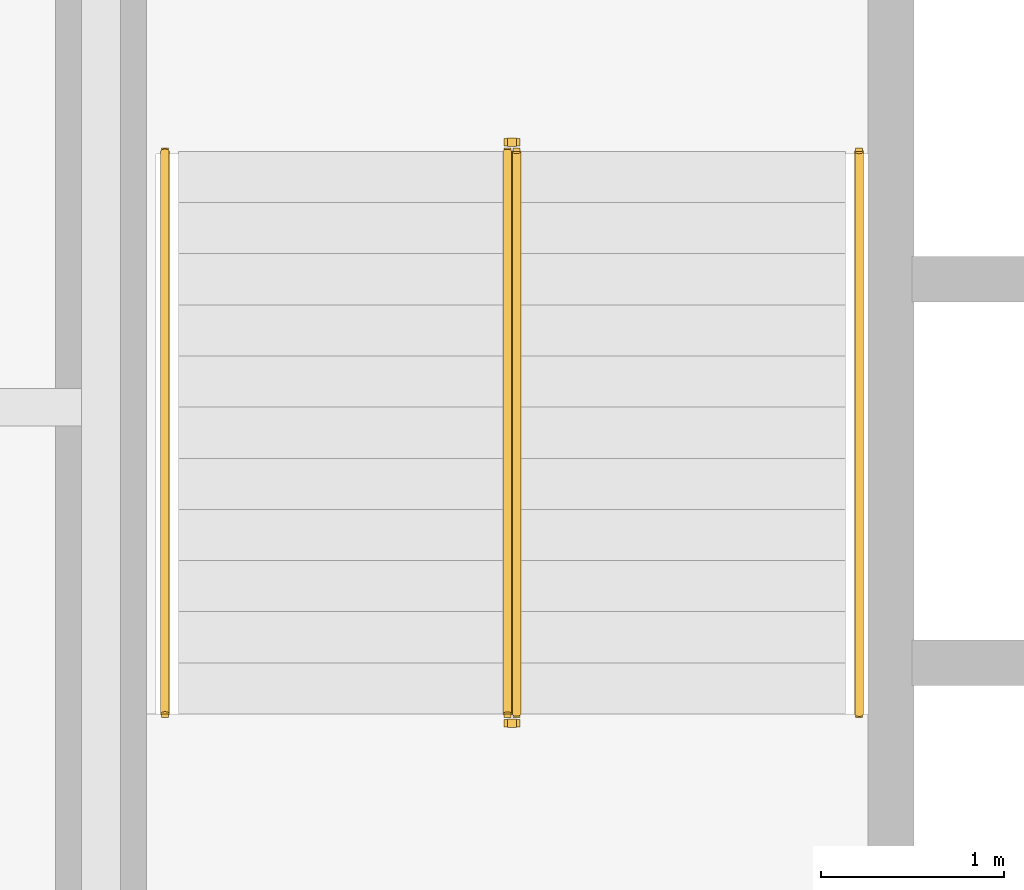
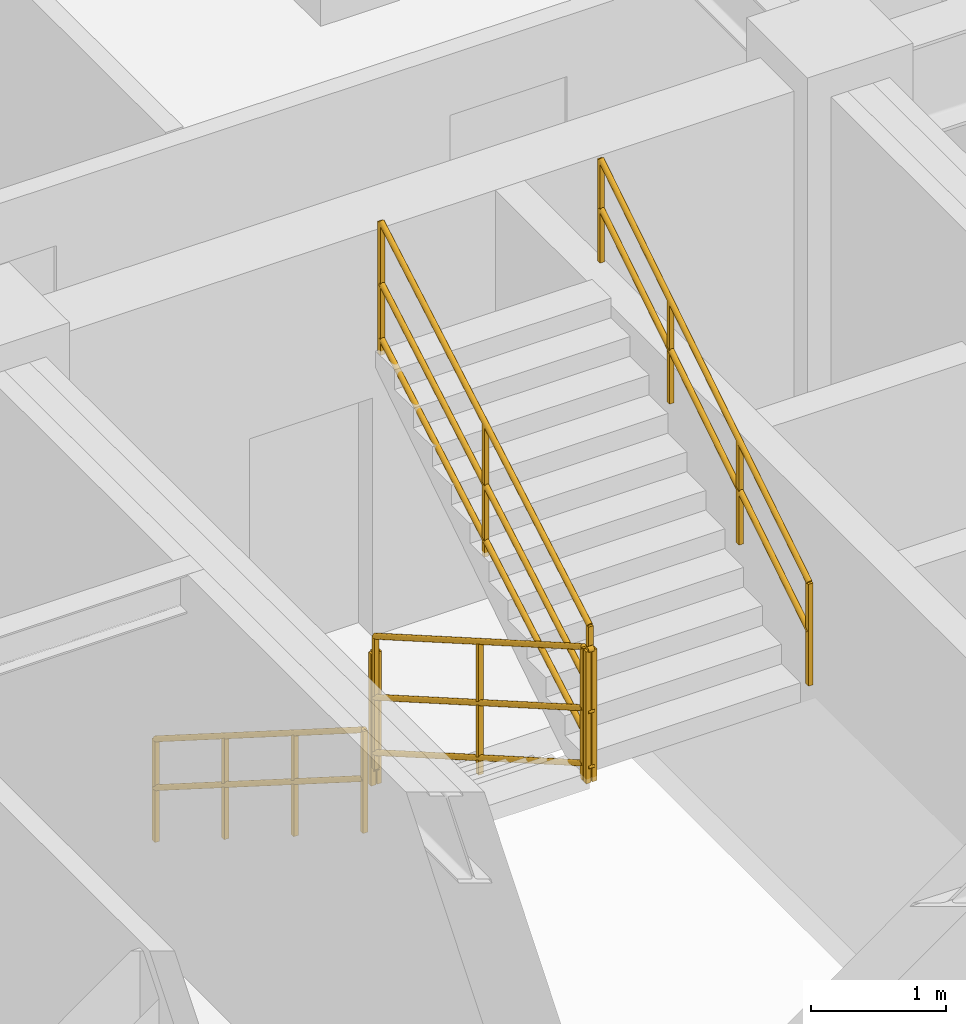
# One storey, part 11 of 11: 6 railings.
"""IFC4 building model written with IfcOpenShell, lengths in metres."""

from ifc_helpers import new_model, entity, si_unit, converted_unit, direction, frame, origin_with_axes, origin_2d_with_axis, place, context, subcontext, project, spatial, rectangle, circle, extrude, material, type_object, element, save


model = new_model("IFC4")

# Units and contexts
model_context = context("Model", 3, precision=1e-05, world=origin_with_axes(), true_north=direction((0.0, 1.0)))
body_context = subcontext(model_context, "Body", "Model", "MODEL_VIEW")
ifc_project = project(units=[si_unit("LENGTHUNIT", "METRE"), si_unit("AREAUNIT", "SQUARE_METRE"), si_unit("VOLUMEUNIT", "CUBIC_METRE"), converted_unit("PLANEANGLEUNIT", "DEGREE", entity("IfcPlaneAngleMeasure", 0.017453292519943295), si_unit("PLANEANGLEUNIT", "RADIAN"), dimensions=[0, 0, 0, 0, 0, 0, 0]), si_unit("MASSUNIT", "GRAM", prefix="KILO"), si_unit("THERMODYNAMICTEMPERATUREUNIT", "KELVIN")], contexts=[model_context])

# Site, building, storey
site_placement = place(None, origin_with_axes())
site = spatial("IfcSite", under=ifc_project, at=site_placement, CompositionType="ELEMENT")
building_placement = place(site_placement, origin_with_axes())
building = spatial("IfcBuilding", under=site, at=building_placement, Name="Varnlund Millrace Tower", CompositionType="ELEMENT")
storey_placement = place(building_placement, frame((0.0, 0.0, 204.3), z_axis=(0.0, 0.0, 1.0), x_axis=(1.0, 0.0, 0.0)))
storey = spatial("IfcBuildingStorey", under=building, at=storey_placement, Name="L50", CompositionType="ELEMENT", Elevation=204.3)

# Railings
ifc_material_1 = material(Name="Painted steel stair well balustrade guard", Category="steel")
railing_type_1 = type_object("IfcRailingType", Name="Type-StairGuard-1150", PredefinedType="GUARDRAIL", material=ifc_material_1)
railing_1_placement = place(storey_placement, frame((0.0, 0.0, -204.3), z_axis=(0.0, 0.0, 1.0), x_axis=(1.0, 0.0, 0.0)))
element("IfcRailing", 1, at=railing_1_placement, inside=storey, type_object=railing_type_1, Name="Type-StairGuard-1150", PredefinedType="GUARDRAIL", context=body_context, shape_type="SweptSolid", body=[
    extrude(circle(Radius=0.024, at=origin_2d_with_axis()), frame((13.625, 35.9, 205.627273), z_axis=(0.0, -0.866696, 0.498836), x_axis=(1.0, 0.0, 0.0)), (0.0, 0.0, 1.0), 3.553725),
    extrude(circle(Radius=0.024, at=origin_2d_with_axis()), frame((13.625, 35.9, 204.577273), z_axis=(0.0, -0.866696, 0.498836), x_axis=(1.0, 0.0, 0.0)), (0.0, 0.0, 1.0), 3.553725),
    extrude(circle(Radius=0.024, at=origin_2d_with_axis()), frame((13.625, 35.9, 205.075273), z_axis=(0.0, -0.866696, 0.498836), x_axis=(1.0, 0.0, 0.0)), (0.0, 0.0, 1.0), 3.553725),
    extrude(rectangle(XDim=0.04, YDim=0.04, at=origin_2d_with_axis()), frame((13.625, 35.9, 204.437273), z_axis=(0.0, 0.0, 1.0), x_axis=(1.0, 0.0, 0.0)), (0.0, 0.0, 1.0), 1.19),
    extrude(rectangle(XDim=0.04, YDim=0.04, at=origin_2d_with_axis()), frame((13.625, 34.36, 205.323636), z_axis=(0.0, 0.0, 1.0), x_axis=(1.0, 0.0, 0.0)), (0.0, 0.0, 1.0), 1.19),
    extrude(rectangle(XDim=0.04, YDim=0.04, at=origin_2d_with_axis()), frame((13.625, 32.82, 206.21), z_axis=(0.0, 0.0, 1.0), x_axis=(1.0, 0.0, 0.0)), (0.0, 0.0, 1.0), 1.19),
])
railing_2_placement = place(storey_placement, frame((0.0, 0.0, -204.3), z_axis=(0.0, 0.0, 1.0), x_axis=(1.0, 0.0, 0.0)))
element("IfcRailing", 2, at=railing_2_placement, inside=storey, type_object=railing_type_1, Name="Type-StairGuard-1150", PredefinedType="GUARDRAIL", context=body_context, shape_type="SweptSolid", body=[
    extrude(circle(Radius=0.024, at=origin_2d_with_axis()), frame((13.675, 32.77, 207.4), z_axis=(-1.0, 0.0, 0.0), x_axis=(0.0, -1.0, 0.0)), (0.0, 0.0, 1.0), 0.05),
    extrude(circle(Radius=0.024, at=origin_2d_with_axis()), frame((13.675, 32.77, 206.35), z_axis=(-1.0, 0.0, 0.0), x_axis=(0.0, -1.0, 0.0)), (0.0, 0.0, 1.0), 0.05),
    extrude(circle(Radius=0.024, at=origin_2d_with_axis()), frame((13.675, 32.77, 206.848), z_axis=(-1.0, 0.0, 0.0), x_axis=(0.0, -1.0, 0.0)), (0.0, 0.0, 1.0), 0.05),
    extrude(rectangle(XDim=0.04, YDim=0.04, at=origin_2d_with_axis()), frame((13.675, 32.77, 206.21), z_axis=(0.0, 0.0, 1.0), x_axis=(1.0, 0.0, 0.0)), (0.0, 0.0, 1.0), 1.19),
    extrude(rectangle(XDim=0.04, YDim=0.04, at=origin_2d_with_axis()), frame((13.625, 32.77, 206.21), z_axis=(0.0, 0.0, 1.0), x_axis=(1.0, 0.0, 0.0)), (0.0, 0.0, 1.0), 1.19),
])
railing_3_placement = place(storey_placement, frame((0.0, 0.0, -204.3), z_axis=(0.0, 0.0, 1.0), x_axis=(1.0, 0.0, 0.0)))
element("IfcRailing", 3, at=railing_3_placement, inside=storey, type_object=railing_type_1, Name="Type-StairGuard-1150", PredefinedType="GUARDRAIL", context=body_context, shape_type="SweptSolid", body=[
    extrude(circle(Radius=0.024, at=origin_2d_with_axis()), frame((13.675, 32.82, 207.577273), z_axis=(0.0, 0.866696, 0.498836), x_axis=(-1.0, 0.0, 0.0)), (0.0, 0.0, 1.0), 3.553725),
    extrude(circle(Radius=0.024, at=origin_2d_with_axis()), frame((13.675, 32.82, 206.527273), z_axis=(0.0, 0.866696, 0.498836), x_axis=(-1.0, 0.0, 0.0)), (0.0, 0.0, 1.0), 3.553725),
    extrude(circle(Radius=0.024, at=origin_2d_with_axis()), frame((13.675, 32.82, 207.025273), z_axis=(0.0, 0.866696, 0.498836), x_axis=(-1.0, 0.0, 0.0)), (0.0, 0.0, 1.0), 3.553725),
    extrude(rectangle(XDim=0.04, YDim=0.04, at=origin_2d_with_axis()), frame((13.675, 32.82, 206.387273), z_axis=(0.0, 0.0, 1.0), x_axis=(1.0, 0.0, 0.0)), (0.0, 0.0, 1.0), 1.19),
    extrude(rectangle(XDim=0.04, YDim=0.04, at=origin_2d_with_axis()), frame((13.675, 34.36, 207.273637), z_axis=(0.0, 0.0, 1.0), x_axis=(1.0, 0.0, 0.0)), (0.0, 0.0, 1.0), 1.19),
    extrude(rectangle(XDim=0.04, YDim=0.04, at=origin_2d_with_axis()), frame((13.675, 35.9, 208.16), z_axis=(0.0, 0.0, 1.0), x_axis=(1.0, 0.0, 0.0)), (0.0, 0.0, 1.0), 1.19),
])
railing_4_placement = place(storey_placement, frame((0.0, 0.0, -204.3), z_axis=(0.0, 0.0, 1.0), x_axis=(1.0, 0.0, 0.0)))
element("IfcRailing", 4, at=railing_4_placement, inside=storey, type_object=railing_type_1, Name="Type-StairGuard-1150", PredefinedType="GUARDRAIL", context=body_context, shape_type="SweptSolid", body=[
    extrude(circle(Radius=0.024, at=origin_2d_with_axis()), frame((13.675, 35.95, 205.45), z_axis=(-1.0, 0.0, 0.0), x_axis=(0.0, -1.0, 0.0)), (0.0, 0.0, 1.0), 0.05),
    extrude(circle(Radius=0.024, at=origin_2d_with_axis()), frame((13.675, 35.95, 204.4), z_axis=(-1.0, 0.0, 0.0), x_axis=(0.0, -1.0, 0.0)), (0.0, 0.0, 1.0), 0.05),
    extrude(circle(Radius=0.024, at=origin_2d_with_axis()), frame((13.675, 35.95, 204.898), z_axis=(-1.0, 0.0, 0.0), x_axis=(0.0, -1.0, 0.0)), (0.0, 0.0, 1.0), 0.05),
    extrude(rectangle(XDim=0.04, YDim=0.04, at=origin_2d_with_axis()), frame((13.675, 35.95, 204.26), z_axis=(0.0, 0.0, 1.0), x_axis=(1.0, 0.0, 0.0)), (0.0, 0.0, 1.0), 1.19),
    extrude(rectangle(XDim=0.04, YDim=0.04, at=origin_2d_with_axis()), frame((13.625, 35.95, 204.26), z_axis=(0.0, 0.0, 1.0), x_axis=(1.0, 0.0, 0.0)), (0.0, 0.0, 1.0), 1.19),
])
ifc_material_2 = material(Name="Brushed architectural bronze stair handrail", Category="aluminium")
railing_type_2 = type_object("IfcRailingType", Name="Type-StairHandrail-900", PredefinedType="HANDRAIL", material=ifc_material_2)
railing_5_placement = place(storey_placement, frame((0.0, 0.0, -204.3), z_axis=(0.0, 0.0, 1.0), x_axis=(1.0, 0.0, 0.0)))
element("IfcRailing", 5, at=railing_5_placement, inside=storey, type_object=railing_type_2, Name="Type-StairHandrail-900", PredefinedType="HANDRAIL", context=body_context, shape_type="SweptSolid", body=[
    extrude(circle(Radius=0.024, at=origin_2d_with_axis()), frame((11.75, 35.9, 205.356995), z_axis=(0.0, -0.844902, 0.534922), x_axis=(1.0, 0.0, 0.0)), (0.0, 0.0, 1.0), 3.645394),
    extrude(circle(Radius=0.024, at=origin_2d_with_axis()), frame((11.75, 35.9, 204.917134), z_axis=(0.0, -0.844902, 0.534922), x_axis=(1.0, 0.0, 0.0)), (0.0, 0.0, 1.0), 3.645394),
    extrude(rectangle(XDim=0.04, YDim=0.04, at=origin_2d_with_axis()), frame((11.75, 35.9, 204.437273), z_axis=(0.0, 0.0, 1.0), x_axis=(1.0, 0.0, 0.0)), (0.0, 0.0, 1.0), 0.919722),
    extrude(rectangle(XDim=0.04, YDim=0.04, at=origin_2d_with_axis()), frame((11.75, 34.873333, 205.087273), z_axis=(0.0, 0.0, 1.0), x_axis=(1.0, 0.0, 0.0)), (0.0, 0.0, 1.0), 0.919722),
    extrude(rectangle(XDim=0.04, YDim=0.04, at=origin_2d_with_axis()), frame((11.75, 33.846667, 205.737273), z_axis=(0.0, 0.0, 1.0), x_axis=(1.0, 0.0, 0.0)), (0.0, 0.0, 1.0), 0.919722),
    extrude(rectangle(XDim=0.04, YDim=0.04, at=origin_2d_with_axis()), frame((11.75, 32.82, 206.387273), z_axis=(0.0, 0.0, 1.0), x_axis=(1.0, 0.0, 0.0)), (0.0, 0.0, 1.0), 0.919722),
])
railing_6_placement = place(storey_placement, frame((0.0, 0.0, -204.3), z_axis=(0.0, 0.0, 1.0), x_axis=(1.0, 0.0, 0.0)))
element("IfcRailing", 6, at=railing_6_placement, inside=storey, type_object=railing_type_2, Name="Type-StairHandrail-900", PredefinedType="HANDRAIL", context=body_context, shape_type="SweptSolid", body=[
    extrude(circle(Radius=0.024, at=origin_2d_with_axis()), frame((15.55, 32.82, 207.306995), z_axis=(0.0, 0.844902, 0.534922), x_axis=(-1.0, 0.0, 0.0)), (0.0, 0.0, 1.0), 3.645394),
    extrude(circle(Radius=0.024, at=origin_2d_with_axis()), frame((15.55, 32.82, 206.867134), z_axis=(0.0, 0.844902, 0.534922), x_axis=(-1.0, 0.0, 0.0)), (0.0, 0.0, 1.0), 3.645394),
    extrude(rectangle(XDim=0.04, YDim=0.04, at=origin_2d_with_axis()), frame((15.55, 32.82, 206.387273), z_axis=(0.0, 0.0, 1.0), x_axis=(1.0, 0.0, 0.0)), (0.0, 0.0, 1.0), 0.919722),
    extrude(rectangle(XDim=0.04, YDim=0.04, at=origin_2d_with_axis()), frame((15.55, 33.846667, 207.037273), z_axis=(0.0, 0.0, 1.0), x_axis=(1.0, 0.0, 0.0)), (0.0, 0.0, 1.0), 0.919722),
    extrude(rectangle(XDim=0.04, YDim=0.04, at=origin_2d_with_axis()), frame((15.55, 34.873333, 207.687273), z_axis=(0.0, 0.0, 1.0), x_axis=(1.0, 0.0, 0.0)), (0.0, 0.0, 1.0), 0.919722),
    extrude(rectangle(XDim=0.04, YDim=0.04, at=origin_2d_with_axis()), frame((15.55, 35.9, 208.337273), z_axis=(0.0, 0.0, 1.0), x_axis=(1.0, 0.0, 0.0)), (0.0, 0.0, 1.0), 0.919722),
])

save(model, "model.ifc")
